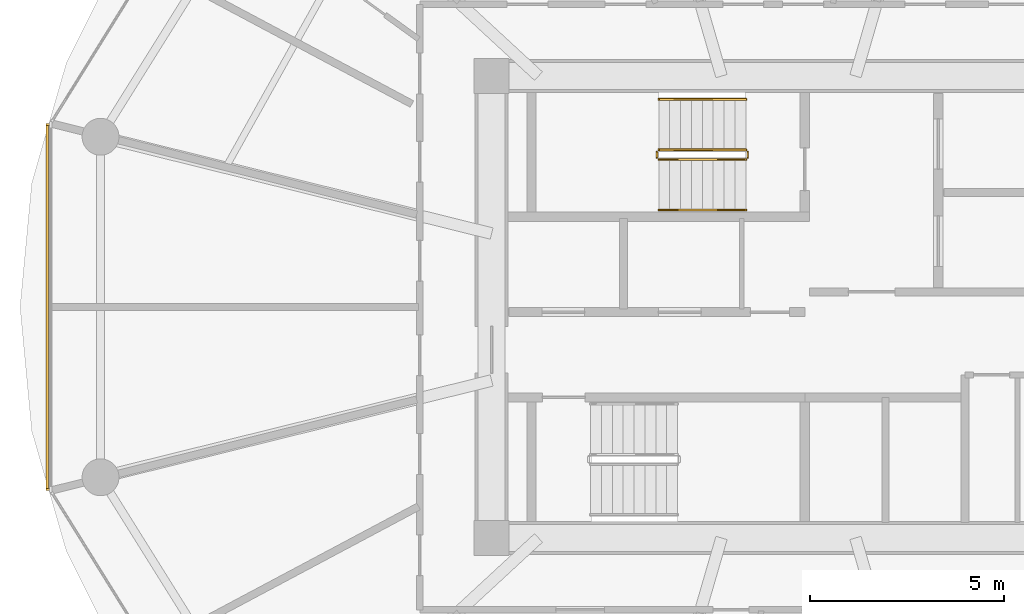
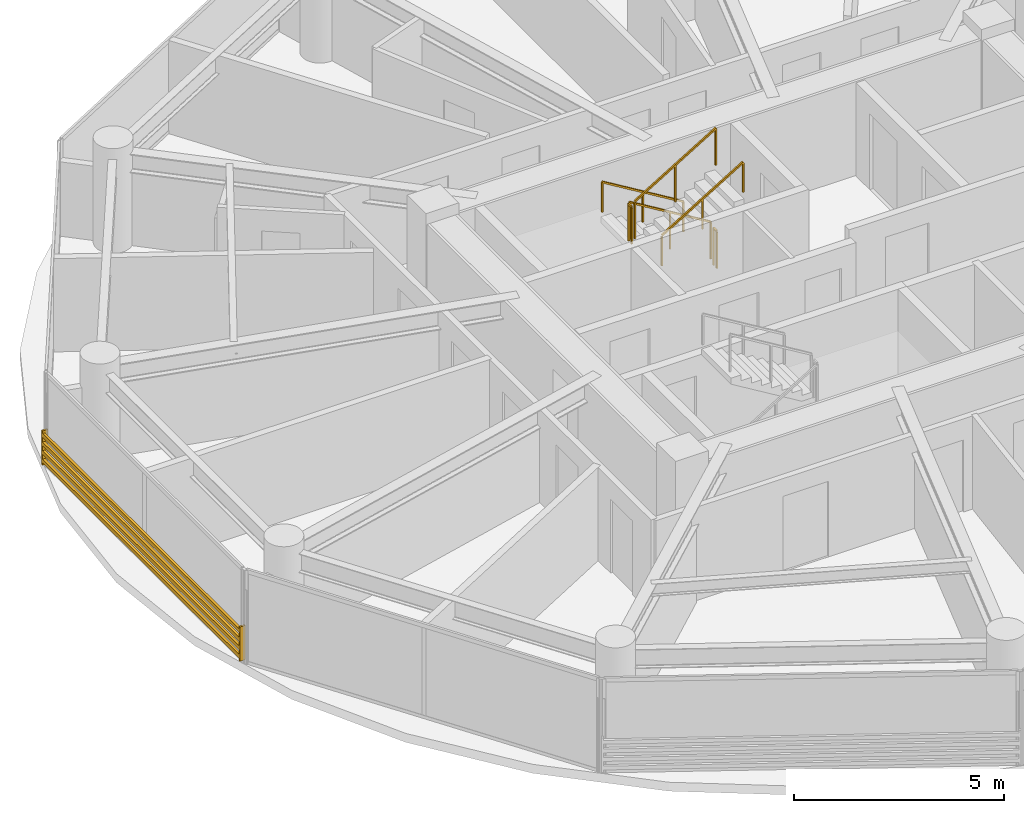
# One storey, part 23 of 26: 6 railings, 1 shading device.
"""IFC4 building model written with IfcOpenShell, lengths in metres."""

from ifc_helpers import new_model, si_unit, direction, frame, origin, origin_2d, place, context, subcontext, project, spatial, rectangle, extrude, source, transform, mapped, material, type_object, type_shapes, element, save


model = new_model("IFC4")

# Units and contexts
model_context = context("Model", 3, precision=1e-05, world=origin(), true_north=direction((0.0, 1.0)))
body_context = subcontext(model_context, "Body", "Model", "MODEL_VIEW")
ifc_project = project(units=[si_unit("LENGTHUNIT", "METRE"), si_unit("AREAUNIT", "SQUARE_METRE"), si_unit("VOLUMEUNIT", "CUBIC_METRE"), si_unit("PLANEANGLEUNIT", "RADIAN"), si_unit("MASSUNIT", "GRAM", prefix="KILO")], contexts=[model_context])

# Site, building, storey
site_placement = place(None, origin())
site = spatial("IfcSite", under=ifc_project, at=site_placement, CompositionType="ELEMENT")
building_placement = place(site_placement, origin())
building = spatial("IfcBuilding", under=site, at=building_placement, Name="Norrkilde Senior Care Towers", CompositionType="ELEMENT")
storey_placement = place(building_placement, frame((0.0, 0.0, 70.39990234375)))
storey = spatial("IfcBuildingStorey", under=building, at=storey_placement, Name="L21", CompositionType="ELEMENT", Elevation=70.39990234375)

# Railings
ifc_material_1 = material(Name="Stainless Steel", Category="steel")
railing_type_1 = type_object("IfcRailingType", Name="Stair and Terrace Guardrail 1100", PredefinedType="GUARDRAIL", material=ifc_material_1)
railing_1_placement = place(storey_placement, frame((-29.10009765625, 4.050048828125, 0.16943359375)))
element("IfcRailing", 1, at=railing_1_placement, inside=storey, type_object=railing_type_1, Name="L21 ST-W1 stair guard 1", PredefinedType="GUARDRAIL", context=body_context, shape_type="SweptSolid", body=[
    extrude(rectangle(XDim=0.048095703125, YDim=0.048095703125, at=origin_2d()), frame((0.0, 0.0, 1.076171875), z_axis=(-0.855512035549, 0.0, 0.517782924622), x_axis=(0.0, -1.0, 0.0)), (0.0, 0.0, 1.0), 2.618408203125),
    extrude(rectangle(XDim=0.0419921875, YDim=0.0419921875, at=origin_2d()), origin(), (0.0, 0.0, 1.0), 1.050048828125),
    extrude(rectangle(XDim=0.0419921875, YDim=0.0419921875, at=origin_2d()), frame((-1.1201171875, 0.0, 0.677734375)), (0.0, 0.0, 1.0), 1.050048828125),
    extrude(rectangle(XDim=0.0419921875, YDim=0.0419921875, at=origin_2d()), frame((-2.239990234375, 0.0, 1.355712890625)), (0.0, 0.0, 1.0), 1.050048828125),
])
railing_2_placement = place(storey_placement, frame((-31.389892578125, 4.0, 1.525146484375)))
element("IfcRailing", 2, at=railing_2_placement, inside=storey, type_object=railing_type_1, Name="L21 ST-W1 stair guard 2", PredefinedType="GUARDRAIL", context=body_context, shape_type="SweptSolid", body=[
    extrude(rectangle(XDim=0.048095703125, YDim=0.048095703125, at=origin_2d()), frame((0.0, 0.0, 1.076171875), z_axis=(0.0, -1.0, 0.0), x_axis=(1.0, 0.0, 0.0)), (0.0, 0.0, 1.0), 0.14990234375),
    extrude(rectangle(XDim=0.0419921875, YDim=0.0419921875, at=origin_2d()), origin(), (0.0, 0.0, 1.0), 1.050048828125),
    extrude(rectangle(XDim=0.0419921875, YDim=0.0419921875, at=origin_2d()), frame((0.0, -0.14990234375, 0.0)), (0.0, 0.0, 1.0), 1.050048828125),
])
railing_3_placement = place(storey_placement, frame((-31.340087890625, 3.800048828125, 1.694580078125)))
element("IfcRailing", 3, at=railing_3_placement, inside=storey, type_object=railing_type_1, Name="L21 ST-W1 stair guard 3", PredefinedType="GUARDRAIL", context=body_context, shape_type="SweptSolid", body=[
    extrude(rectangle(XDim=0.048095703125, YDim=0.048095703125, at=origin_2d()), frame((0.0, 0.0, 1.076171875), z_axis=(0.855553338991, 0.0, 0.51771467445), x_axis=(0.0, 1.0, 0.0)), (0.0, 0.0, 1.0), 2.6181640625),
    extrude(rectangle(XDim=0.0419921875, YDim=0.0419921875, at=origin_2d()), origin(), (0.0, 0.0, 1.0), 1.050048828125),
    extrude(rectangle(XDim=0.0419921875, YDim=0.0419921875, at=origin_2d()), frame((1.1201171875, 0.0, 0.677734375)), (0.0, 0.0, 1.0), 1.050048828125),
    extrude(rectangle(XDim=0.0419921875, YDim=0.0419921875, at=origin_2d()), frame((2.239990234375, 0.0, 1.35546875)), (0.0, 0.0, 1.0), 1.050048828125),
])
railing_4_placement = place(storey_placement, frame((-29.050048828125, 4.0, 0.0)))
element("IfcRailing", 4, at=railing_4_placement, inside=storey, type_object=railing_type_1, Name="L21 ST-W1 stair guard 4", PredefinedType="GUARDRAIL", context=body_context, shape_type="SweptSolid", body=[
    extrude(rectangle(XDim=0.048095703125, YDim=0.048095703125, at=origin_2d()), frame((0.0, 0.0, 1.076171875), z_axis=(0.0, -1.0, 0.0), x_axis=(1.0, 0.0, 0.0)), (0.0, 0.0, 1.0), 0.14990234375),
    extrude(rectangle(XDim=0.0419921875, YDim=0.0419921875, at=origin_2d()), origin(), (0.0, 0.0, 1.0), 1.050048828125),
    extrude(rectangle(XDim=0.0419921875, YDim=0.0419921875, at=origin_2d()), frame((0.0, -0.14990234375, 0.0)), (0.0, 0.0, 1.0), 1.050048828125),
])
ifc_material_2 = material(Name="Nordic Ash Timber", Category="wood")
railing_type_2 = type_object("IfcRailingType", Name="Wall and Stair Handrail 900", PredefinedType="HANDRAIL", material=ifc_material_2)
railing_5_placement = place(storey_placement, frame((-29.10009765625, 5.35009765625, 0.16943359375)))
element("IfcRailing", 5, at=railing_5_placement, inside=storey, type_object=railing_type_2, Name="L21 ST-W1 stair handrail 1", PredefinedType="HANDRAIL", context=body_context, shape_type="SweptSolid", body=[
    extrude(rectangle(XDim=0.048095703125, YDim=0.048095703125, at=origin_2d()), frame((0.0, 0.0, 0.8759765625), z_axis=(-0.855512035549, 0.0, 0.517782924622), x_axis=(0.0, -1.0, 0.0)), (0.0, 0.0, 1.0), 2.618408203125),
    extrude(rectangle(XDim=0.0419921875, YDim=0.0419921875, at=origin_2d()), origin(), (0.0, 0.0, 1.0), 0.849853515625),
    extrude(rectangle(XDim=0.0419921875, YDim=0.0419921875, at=origin_2d()), frame((-1.1201171875, 0.0, 0.677734375)), (0.0, 0.0, 1.0), 0.849853515625),
    extrude(rectangle(XDim=0.0419921875, YDim=0.0419921875, at=origin_2d()), frame((-2.239990234375, 0.0, 1.355712890625)), (0.0, 0.0, 1.0), 0.849853515625),
])
railing_6_placement = place(storey_placement, frame((-31.340087890625, 2.5, 1.694580078125)))
element("IfcRailing", 6, at=railing_6_placement, inside=storey, type_object=railing_type_2, Name="L21 ST-W1 stair handrail 2", PredefinedType="HANDRAIL", context=body_context, shape_type="SweptSolid", body=[
    extrude(rectangle(XDim=0.048095703125, YDim=0.048095703125, at=origin_2d()), frame((0.0, 0.0, 0.8759765625), z_axis=(0.855553338991, 0.0, 0.51771467445), x_axis=(0.0, 1.0, 0.0)), (0.0, 0.0, 1.0), 2.6181640625),
    extrude(rectangle(XDim=0.0419921875, YDim=0.0419921875, at=origin_2d()), origin(), (0.0, 0.0, 1.0), 0.849853515625),
    extrude(rectangle(XDim=0.0419921875, YDim=0.0419921875, at=origin_2d()), frame((1.1201171875, 0.0, 0.677734375)), (0.0, 0.0, 1.0), 0.849853515625),
    extrude(rectangle(XDim=0.0419921875, YDim=0.0419921875, at=origin_2d()), frame((2.239990234375, 0.0, 1.35546875)), (0.0, 0.0, 1.0), 0.849853515625),
])

# Shading device
ifc_material_3 = material(Name="Architectural Terracotta", Category="masonry")
shading_device_type = type_object("IfcShadingDeviceType", Name="Horizontal Terracotta Baguette Rack", PredefinedType="USERDEFINED", material=ifc_material_3)
shared_shape = source(origin(), body_context, "Body", "SweptSolid", [
    extrude(rectangle(XDim=0.070068359375, YDim=0.110107421875, at=origin_2d()), frame((0.0, 0.090087890625, 0.125), z_axis=(1.0, 0.0, 0.0), x_axis=(0.0, 1.0, 0.0)), (0.0, 0.0, 1.0), 9.46240234375),
    extrude(rectangle(XDim=0.070068359375, YDim=0.110107421875, at=origin_2d()), frame((0.0, 0.090087890625, 0.375), z_axis=(1.0, 0.0, 0.0), x_axis=(0.0, 1.0, 0.0)), (0.0, 0.0, 1.0), 9.46240234375),
    extrude(rectangle(XDim=0.070068359375, YDim=0.110107421875, at=origin_2d()), frame((0.0, 0.090087890625, 0.625), z_axis=(1.0, 0.0, 0.0), x_axis=(0.0, 1.0, 0.0)), (0.0, 0.0, 1.0), 9.46240234375),
    extrude(rectangle(XDim=0.070068359375, YDim=0.110107421875, at=origin_2d()), frame((0.0, 0.090087890625, 0.875), z_axis=(1.0, 0.0, 0.0), x_axis=(0.0, 1.0, 0.0)), (0.0, 0.0, 1.0), 9.46240234375),
    extrude(rectangle(XDim=0.050048828125, YDim=0.1552734375, at=origin_2d()), frame((0.02490234375, 0.047607421875, 0.0)), (0.0, 0.0, 1.0), 1.0),
    extrude(rectangle(XDim=0.050048828125, YDim=0.1552734375, at=origin_2d()), frame((9.4375, 0.047607421875, 0.0)), (0.0, 0.0, 1.0), 1.0),
])
type_shapes(shading_device_type, [shared_shape])
shading_device_placement = place(storey_placement, frame((-47.009521484375, -4.731201171875, 0.080078125), z_axis=(0.0, 0.0, 1.0), x_axis=(0.0, 1.0, 0.0)))
element("IfcShadingDevice", 7, at=shading_device_placement, inside=storey, type_object=shading_device_type, Name="L21 Drum W Terracotta Baguette Screen 05", ObjectType="BAGUETTE", PredefinedType="USERDEFINED", context=body_context, shape_type="MappedRepresentation", body=[
    mapped(shared_shape, transform((0.0, 0.0, 0.0), x_axis=(1.0, 0.0, 0.0), y_axis=(0.0, 1.0, 0.0), z_axis=(0.0, 0.0, 1.0), scale=1.0)),
])

save(model, "model.ifc")
